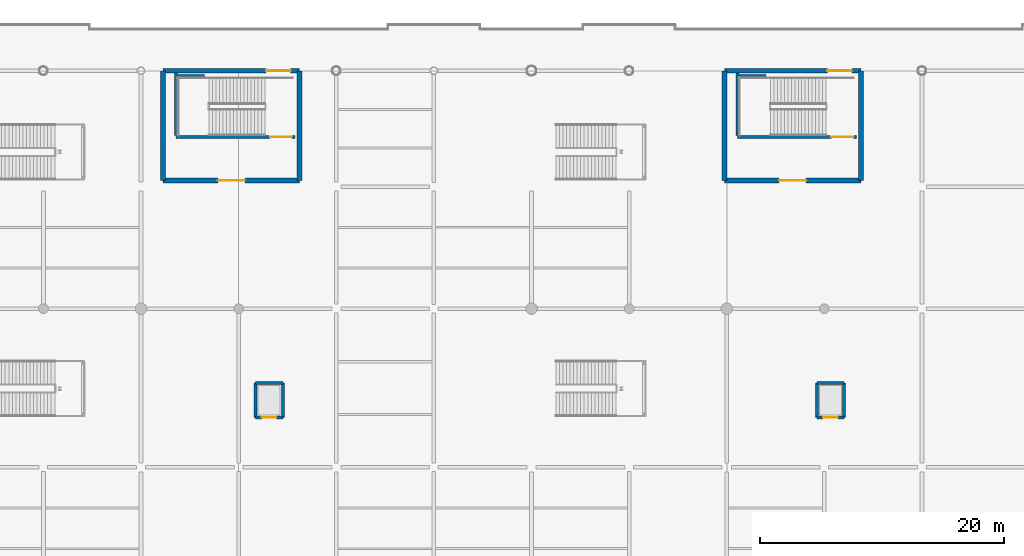
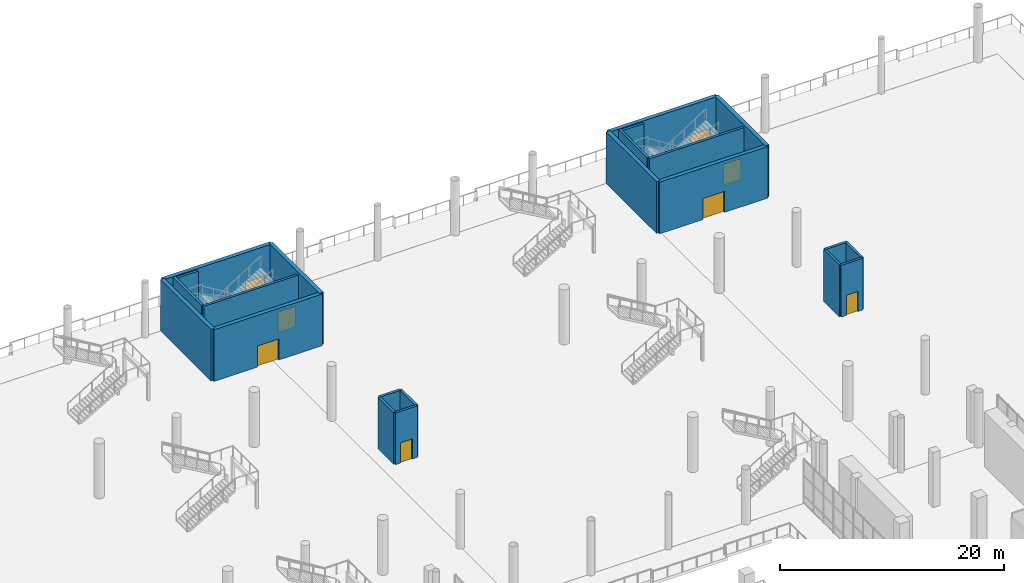
# One storey, part 131 of 163: 22 walls, 8 doors, 8 openings.
"""IFC4 building model written with IfcOpenShell, lengths in metres."""

from ifc_helpers import new_model, si_unit, direction, frame, frame_2d, origin, place, context, subcontext, project, spatial, rectangle, extrude, material, layer, layer_set, type_object, element, fill, save


model = new_model("IFC4")

# Units and contexts
model_context = context("Model", 3, precision=1e-05, world=origin(), true_north=direction((0.0, 1.0)))
body_context = subcontext(model_context, "Body", "Model", "MODEL_VIEW")
ifc_project = project(units=[si_unit("LENGTHUNIT", "METRE"), si_unit("AREAUNIT", "SQUARE_METRE"), si_unit("VOLUMEUNIT", "CUBIC_METRE"), si_unit("PLANEANGLEUNIT", "RADIAN"), si_unit("MASSUNIT", "GRAM", prefix="KILO")], contexts=[model_context])

# Site, building, storey
site_placement = place(None, origin())
site = spatial("IfcSite", under=ifc_project, at=site_placement, CompositionType="ELEMENT")
building_placement = place(site_placement, origin())
building = spatial("IfcBuilding", under=site, at=building_placement, Name="Khorjan Park Terminus", CompositionType="ELEMENT")
storey_placement = place(building_placement, origin())
storey = spatial("IfcBuildingStorey", under=building, at=storey_placement, Name="L00", CompositionType="ELEMENT", Elevation=0.0)

# Wall
ifc_material_1 = material(Name="Concrete C50/60", Category="concrete")
ifc_layer_1 = layer(ifc_material_1, 0.4)
ifc_layer_set_1 = layer_set([ifc_layer_1], Name="Concrete C50/60")
wall_type_1 = type_object("IfcWallType", Name="CW-40", PredefinedType="SHEAR", material=ifc_layer_set_1)
wall_1_placement = place(storey_placement, frame((73.8, 154.0, 0.0), z_axis=(0.0, 0.0, 1.0), x_axis=(0.0, -1.0, 0.0)))
element("IfcWall", 1, at=wall_1_placement, inside=storey, type_object=wall_type_1, Name="West Transfer Bridge Exit Core concrete shear wall CW-40 (L00-E2)", PredefinedType="SHEAR", context=body_context, shape_type="SweptSolid", body=[
    extrude(rectangle(XDim=9.0, YDim=0.4, at=frame_2d((4.5, 0.0))), origin(), (0.0, 0.0, 1.0), 5.64),
])

# Wall, opening, door
wall_2_placement = place(storey_placement, frame((73.8, 145.0, 0.0), z_axis=(0.0, 0.0, 1.0), x_axis=(1.0, 0.0, 0.0)))
wall_2 = element("IfcWall", 2, at=wall_2_placement, inside=storey, type_object=wall_type_1, Name="West Transfer Bridge Exit Core concrete shear wall CW-40 (L00-E3)", PredefinedType="SHEAR", context=body_context, shape_type="SweptSolid", body=[
    extrude(rectangle(XDim=11.2, YDim=0.4, at=frame_2d((5.6, 0.0))), origin(), (0.0, 0.0, 1.0), 5.64),
])
opening_1_placement = place(wall_2_placement, frame((4.5, 0.0, 0.0)))
opening_1 = element("IfcOpeningElement", 3, at=opening_1_placement, cuts=wall_2, Name="Opening FD-22", PredefinedType="OPENING", context=body_context, shape_type="SweptSolid", body=[
    extrude(rectangle(XDim=2.2, YDim=2.3, at=frame_2d((1.1, 1.15))), frame((0.0, 0.21, 0.0), z_axis=(0.0, -1.0, 0.0), x_axis=(1.0, 0.0, 0.0)), (0.0, 0.0, 1.0), 0.42),
])
ifc_material_2 = material(Name="Fire-Rated Steel Double Door", Category="steel")
door_type_1 = type_object("IfcDoorType", Name="FD-22", OperationType="NOTDEFINED", PredefinedType="DOOR", material=ifc_material_2)
door_1_placement = place(opening_1_placement, origin())
door_1 = element("IfcDoor", 4, at=door_1_placement, inside=storey, type_object=door_type_1, Name="West Transfer Bridge Exit Core fire-rated exit door FD-22 (L00)", OperationType="DOUBLE_DOOR_SINGLE_SWING", OverallHeight=2.3, OverallWidth=2.2, PredefinedType="DOOR", context=body_context, shape_type="SweptSolid", body=[
    extrude(rectangle(XDim=2.2, YDim=2.3, at=frame_2d((1.1, 1.15))), frame((0.0, 0.025, 0.0), z_axis=(0.0, -1.0, 0.0), x_axis=(1.0, 0.0, 0.0)), (0.0, 0.0, 1.0), 0.05),
])
fill(opening_1, door_1)

# Walls
for number, where, z_axis, x_axis, name in (
    (5, (85.0, 145.0, 0.0), (0.0, 0.0, 1.0), (0.0, 1.0, 0.0), "West Transfer Bridge Exit Core concrete shear wall CW-40 (L00-E4)"),
    (6, (119.8, 154.0, 0.0), (0.0, 0.0, 1.0), (0.0, -1.0, 0.0), "East Transfer Bridge Exit Core concrete shear wall CW-40 (L00-E2)"),
):
    element("IfcWall", number, at=place(storey_placement, frame(where, z_axis=z_axis, x_axis=x_axis)), inside=storey, type_object=wall_type_1, Name=name, PredefinedType="SHEAR", context=body_context, shape_type="SweptSolid", body=[
        extrude(rectangle(XDim=9.0, YDim=0.4, at=frame_2d((4.5, 0.0))), origin(), (0.0, 0.0, 1.0), 5.64),
    ])

# Wall, opening, door
wall_3_placement = place(storey_placement, frame((119.8, 145.0, 0.0), z_axis=(0.0, 0.0, 1.0), x_axis=(1.0, 0.0, 0.0)))
wall_3 = element("IfcWall", 7, at=wall_3_placement, inside=storey, type_object=wall_type_1, Name="East Transfer Bridge Exit Core concrete shear wall CW-40 (L00-E3)", PredefinedType="SHEAR", context=body_context, shape_type="SweptSolid", body=[
    extrude(rectangle(XDim=11.2, YDim=0.4, at=frame_2d((5.6, 0.0))), origin(), (0.0, 0.0, 1.0), 5.64),
])
opening_2_placement = place(wall_3_placement, frame((4.5, 0.0, 0.0)))
opening_2 = element("IfcOpeningElement", 8, at=opening_2_placement, cuts=wall_3, Name="Opening FD-22", PredefinedType="OPENING", context=body_context, shape_type="SweptSolid", body=[
    extrude(rectangle(XDim=2.2, YDim=2.3, at=frame_2d((1.1, 1.15))), frame((0.0, 0.21, 0.0), z_axis=(0.0, -1.0, 0.0), x_axis=(1.0, 0.0, 0.0)), (0.0, 0.0, 1.0), 0.42),
])
door_2_placement = place(opening_2_placement, origin())
door_2 = element("IfcDoor", 9, at=door_2_placement, inside=storey, type_object=door_type_1, Name="East Transfer Bridge Exit Core fire-rated exit door FD-22 (L00)", OperationType="DOUBLE_DOOR_SINGLE_SWING", OverallHeight=2.3, OverallWidth=2.2, PredefinedType="DOOR", context=body_context, shape_type="SweptSolid", body=[
    extrude(rectangle(XDim=2.2, YDim=2.3, at=frame_2d((1.1, 1.15))), frame((0.0, 0.025, 0.0), z_axis=(0.0, -1.0, 0.0), x_axis=(1.0, 0.0, 0.0)), (0.0, 0.0, 1.0), 0.05),
])
fill(opening_2, door_2)

# Wall
wall_4_placement = place(storey_placement, frame((131.0, 145.0, 0.0), z_axis=(0.0, 0.0, 1.0), x_axis=(0.0, 1.0, 0.0)))
element("IfcWall", 10, at=wall_4_placement, inside=storey, type_object=wall_type_1, Name="East Transfer Bridge Exit Core concrete shear wall CW-40 (L00-E4)", PredefinedType="SHEAR", context=body_context, shape_type="SweptSolid", body=[
    extrude(rectangle(XDim=9.0, YDim=0.4, at=frame_2d((4.5, 0.0))), origin(), (0.0, 0.0, 1.0), 5.64),
])

# Wall, opening, door
ifc_layer_2 = layer(ifc_material_1, 0.4)
ifc_layer_set_2 = layer_set([ifc_layer_2], Name="Concrete C50/60")
wall_type_2 = type_object("IfcWallType", Name="CWE-40", PredefinedType="SHEAR", material=ifc_layer_set_2)
wall_5_placement = place(storey_placement, frame((85.0, 154.0, 0.0), z_axis=(0.0, 0.0, 1.0), x_axis=(-1.0, 0.0, 0.0)))
wall_5 = element("IfcWall", 11, at=wall_5_placement, inside=storey, type_object=wall_type_2, Name="West Transfer Bridge Exit Core concrete shear wall CWE-40 (L00-E1)", PredefinedType="SHEAR", context=body_context, shape_type="SweptSolid", body=[
    extrude(rectangle(XDim=11.2, YDim=0.4, at=frame_2d((5.6, 0.0))), origin(), (0.0, 0.0, 1.0), 5.64),
])
opening_3_placement = place(wall_5_placement, frame((0.75, 0.0, 0.0)))
opening_3 = element("IfcOpeningElement", 12, at=opening_3_placement, cuts=wall_5, Name="Opening ED-20", PredefinedType="OPENING", context=body_context, shape_type="SweptSolid", body=[
    extrude(rectangle(XDim=2.0, YDim=2.4, at=frame_2d((1.0, 1.2))), frame((0.0, 0.21, 0.0), z_axis=(0.0, -1.0, 0.0), x_axis=(1.0, 0.0, 0.0)), (0.0, 0.0, 1.0), 0.42),
])
ifc_material_3 = material(Name="Anodized Bronze Aluminium & Safety Glass", Category="aluminium")
door_type_2 = type_object("IfcDoorType", Name="ED-20", OperationType="NOTDEFINED", PredefinedType="DOOR", material=ifc_material_3)
door_3_placement = place(opening_3_placement, frame((2.0, 0.0, 0.0), z_axis=(0.0, 0.0, 1.0), x_axis=(-1.0, 0.0, 0.0)))
door_3 = element("IfcDoor", 13, at=door_3_placement, inside=storey, type_object=door_type_2, Name="West Transfer Bridge Exit Core ground exit discharge door ED-20", OperationType="DOUBLE_DOOR_SINGLE_SWING", OverallHeight=2.4, OverallWidth=2.0, PredefinedType="DOOR", context=body_context, shape_type="SweptSolid", body=[
    extrude(rectangle(XDim=2.0, YDim=2.4, at=frame_2d((1.0, 1.2))), frame((0.0, 0.025, 0.0), z_axis=(0.0, -1.0, 0.0), x_axis=(1.0, 0.0, 0.0)), (0.0, 0.0, 1.0), 0.05),
])
fill(opening_3, door_3)

wall_6_placement = place(storey_placement, frame((131.0, 154.0, 0.0), z_axis=(0.0, 0.0, 1.0), x_axis=(-1.0, 0.0, 0.0)))
wall_6 = element("IfcWall", 14, at=wall_6_placement, inside=storey, type_object=wall_type_2, Name="East Transfer Bridge Exit Core concrete shear wall CWE-40 (L00-E1)", PredefinedType="SHEAR", context=body_context, shape_type="SweptSolid", body=[
    extrude(rectangle(XDim=11.2, YDim=0.4, at=frame_2d((5.6, 0.0))), origin(), (0.0, 0.0, 1.0), 5.64),
])
opening_4_placement = place(wall_6_placement, frame((0.75, 0.0, 0.0)))
opening_4 = element("IfcOpeningElement", 15, at=opening_4_placement, cuts=wall_6, Name="Opening ED-20", PredefinedType="OPENING", context=body_context, shape_type="SweptSolid", body=[
    extrude(rectangle(XDim=2.0, YDim=2.4, at=frame_2d((1.0, 1.2))), frame((0.0, 0.21, 0.0), z_axis=(0.0, -1.0, 0.0), x_axis=(1.0, 0.0, 0.0)), (0.0, 0.0, 1.0), 0.42),
])
door_4_placement = place(opening_4_placement, frame((2.0, 0.0, 0.0), z_axis=(0.0, 0.0, 1.0), x_axis=(-1.0, 0.0, 0.0)))
door_4 = element("IfcDoor", 16, at=door_4_placement, inside=storey, type_object=door_type_2, Name="East Transfer Bridge Exit Core ground exit discharge door ED-20", OperationType="DOUBLE_DOOR_SINGLE_SWING", OverallHeight=2.4, OverallWidth=2.0, PredefinedType="DOOR", context=body_context, shape_type="SweptSolid", body=[
    extrude(rectangle(XDim=2.0, YDim=2.4, at=frame_2d((1.0, 1.2))), frame((0.0, 0.025, 0.0), z_axis=(0.0, -1.0, 0.0), x_axis=(1.0, 0.0, 0.0)), (0.0, 0.0, 1.0), 0.05),
])
fill(opening_4, door_4)

ifc_material_4 = material(Name="Concrete C40/50", Category="concrete")
ifc_layer_3 = layer(ifc_material_4, 0.25)
ifc_layer_set_3 = layer_set([ifc_layer_3], Name="Concrete C40/50")
wall_type_3 = type_object("IfcWallType", Name="SW-25", PredefinedType="SOLIDWALL", material=ifc_layer_set_3)
wall_7_placement = place(storey_placement, frame((81.38, 125.58, 0.0), z_axis=(0.0, 0.0, 1.0), x_axis=(1.0, 0.0, 0.0)))
wall_7 = element("IfcWall", 17, at=wall_7_placement, inside=storey, type_object=wall_type_3, Name="Lift L09 concrete shaft wall SW-25 (L00-1)", PredefinedType="SOLIDWALL", context=body_context, shape_type="SweptSolid", body=[
    extrude(rectangle(XDim=2.24, YDim=0.25, at=frame_2d((1.12, 0.0))), origin(), (0.0, 0.0, 1.0), 5.64),
])
opening_5_placement = place(wall_7_placement, frame((0.52, 0.0, 0.0)))
opening_5 = element("IfcOpeningElement", 18, at=opening_5_placement, cuts=wall_7, Name="Opening LD-12", PredefinedType="OPENING", context=body_context, shape_type="SweptSolid", body=[
    extrude(rectangle(XDim=1.2, YDim=2.2, at=frame_2d((0.6, 1.1))), frame((0.0, 0.135, 0.0), z_axis=(0.0, -1.0, 0.0), x_axis=(1.0, 0.0, 0.0)), (0.0, 0.0, 1.0), 0.27),
])
ifc_material_5 = material(Name="Stainless-Steel Lift Landing Sliding Door", Category="steel")
door_type_3 = type_object("IfcDoorType", Name="LD-12", OperationType="NOTDEFINED", PredefinedType="DOOR", material=ifc_material_5)
door_5_placement = place(opening_5_placement, origin())
door_5 = element("IfcDoor", 19, at=door_5_placement, inside=storey, type_object=door_type_3, Name="Lift L09 sliding landing door LD-12 (L00)", OperationType="SLIDING_TO_LEFT", OverallHeight=2.2, OverallWidth=1.2, PredefinedType="DOOR", context=body_context, shape_type="SweptSolid", body=[
    extrude(rectangle(XDim=1.2, YDim=2.2, at=frame_2d((0.6, 1.1))), frame((0.0, 0.025, 0.0), z_axis=(0.0, -1.0, 0.0), x_axis=(1.0, 0.0, 0.0)), (0.0, 0.0, 1.0), 0.05),
])
fill(opening_5, door_5)

# Walls
wall_8_placement = place(storey_placement, frame((83.62, 125.58, 0.0), z_axis=(0.0, 0.0, 1.0), x_axis=(0.0, 1.0, 0.0)))
element("IfcWall", 20, at=wall_8_placement, inside=storey, type_object=wall_type_3, Name="Lift L09 concrete shaft wall SW-25 (L00-2)", PredefinedType="SOLIDWALL", context=body_context, shape_type="SweptSolid", body=[
    extrude(rectangle(XDim=2.84, YDim=0.25, at=frame_2d((1.42, 0.0))), origin(), (0.0, 0.0, 1.0), 5.64),
])
wall_9_placement = place(storey_placement, frame((83.62, 128.42, 0.0), z_axis=(0.0, 0.0, 1.0), x_axis=(-1.0, 0.0, 0.0)))
element("IfcWall", 21, at=wall_9_placement, inside=storey, type_object=wall_type_3, Name="Lift L09 concrete shaft wall SW-25 (L00-3)", PredefinedType="SOLIDWALL", context=body_context, shape_type="SweptSolid", body=[
    extrude(rectangle(XDim=2.24, YDim=0.25, at=frame_2d((1.12, 0.0))), origin(), (0.0, 0.0, 1.0), 5.64),
])
wall_10_placement = place(storey_placement, frame((81.38, 128.42, 0.0), z_axis=(0.0, 0.0, 1.0), x_axis=(0.0, -1.0, 0.0)))
element("IfcWall", 22, at=wall_10_placement, inside=storey, type_object=wall_type_3, Name="Lift L09 concrete shaft wall SW-25 (L00-4)", PredefinedType="SOLIDWALL", context=body_context, shape_type="SweptSolid", body=[
    extrude(rectangle(XDim=2.84, YDim=0.25, at=frame_2d((1.42, 0.0))), origin(), (0.0, 0.0, 1.0), 5.64),
])

# Wall, opening, door
wall_11_placement = place(storey_placement, frame((127.38, 125.58, 0.0), z_axis=(0.0, 0.0, 1.0), x_axis=(1.0, 0.0, 0.0)))
wall_11 = element("IfcWall", 23, at=wall_11_placement, inside=storey, type_object=wall_type_3, Name="Lift L10 concrete shaft wall SW-25 (L00-1)", PredefinedType="SOLIDWALL", context=body_context, shape_type="SweptSolid", body=[
    extrude(rectangle(XDim=2.24, YDim=0.25, at=frame_2d((1.12, 0.0))), origin(), (0.0, 0.0, 1.0), 5.64),
])
opening_6_placement = place(wall_11_placement, frame((0.52, 0.0, 0.0)))
opening_6 = element("IfcOpeningElement", 24, at=opening_6_placement, cuts=wall_11, Name="Opening LD-12", PredefinedType="OPENING", context=body_context, shape_type="SweptSolid", body=[
    extrude(rectangle(XDim=1.2, YDim=2.2, at=frame_2d((0.6, 1.1))), frame((0.0, 0.135, 0.0), z_axis=(0.0, -1.0, 0.0), x_axis=(1.0, 0.0, 0.0)), (0.0, 0.0, 1.0), 0.27),
])
door_6_placement = place(opening_6_placement, origin())
door_6 = element("IfcDoor", 25, at=door_6_placement, inside=storey, type_object=door_type_3, Name="Lift L10 sliding landing door LD-12 (L00)", OperationType="SLIDING_TO_RIGHT", OverallHeight=2.2, OverallWidth=1.2, PredefinedType="DOOR", context=body_context, shape_type="SweptSolid", body=[
    extrude(rectangle(XDim=1.2, YDim=2.2, at=frame_2d((0.6, 1.1))), frame((0.0, 0.025, 0.0), z_axis=(0.0, -1.0, 0.0), x_axis=(1.0, 0.0, 0.0)), (0.0, 0.0, 1.0), 0.05),
])
fill(opening_6, door_6)

# Walls
wall_12_placement = place(storey_placement, frame((129.62, 125.58, 0.0), z_axis=(0.0, 0.0, 1.0), x_axis=(0.0, 1.0, 0.0)))
element("IfcWall", 26, at=wall_12_placement, inside=storey, type_object=wall_type_3, Name="Lift L10 concrete shaft wall SW-25 (L00-2)", PredefinedType="SOLIDWALL", context=body_context, shape_type="SweptSolid", body=[
    extrude(rectangle(XDim=2.84, YDim=0.25, at=frame_2d((1.42, 0.0))), origin(), (0.0, 0.0, 1.0), 5.64),
])
wall_13_placement = place(storey_placement, frame((129.62, 128.42, 0.0), z_axis=(0.0, 0.0, 1.0), x_axis=(-1.0, 0.0, 0.0)))
element("IfcWall", 27, at=wall_13_placement, inside=storey, type_object=wall_type_3, Name="Lift L10 concrete shaft wall SW-25 (L00-3)", PredefinedType="SOLIDWALL", context=body_context, shape_type="SweptSolid", body=[
    extrude(rectangle(XDim=2.24, YDim=0.25, at=frame_2d((1.12, 0.0))), origin(), (0.0, 0.0, 1.0), 5.64),
])
wall_14_placement = place(storey_placement, frame((127.38, 128.42, 0.0), z_axis=(0.0, 0.0, 1.0), x_axis=(0.0, -1.0, 0.0)))
element("IfcWall", 28, at=wall_14_placement, inside=storey, type_object=wall_type_3, Name="Lift L10 concrete shaft wall SW-25 (L00-4)", PredefinedType="SOLIDWALL", context=body_context, shape_type="SweptSolid", body=[
    extrude(rectangle(XDim=2.84, YDim=0.25, at=frame_2d((1.42, 0.0))), origin(), (0.0, 0.0, 1.0), 5.64),
])

# Wall, opening, door
wall_15_placement = place(storey_placement, frame((84.62, 148.565, 0.0), z_axis=(0.0, 0.0, 1.0), x_axis=(-1.0, 0.0, 0.0)))
wall_15 = element("IfcWall", 29, at=wall_15_placement, inside=storey, type_object=wall_type_3, Name="West Transfer Bridge Exit Core structural stairwell wall SW-25 (L00)", PredefinedType="SOLIDWALL", context=body_context, shape_type="SweptSolid", body=[
    extrude(rectangle(XDim=9.745, YDim=0.25, at=frame_2d((4.8725, 0.0))), origin(), (0.0, 0.0, 1.0), 5.62),
])
opening_7_placement = place(wall_15_placement, frame((0.25, 0.0, 0.0)))
opening_7 = element("IfcOpeningElement", 30, at=opening_7_placement, cuts=wall_15, Name="Opening FD-18", PredefinedType="OPENING", context=body_context, shape_type="SweptSolid", body=[
    extrude(rectangle(XDim=1.8, YDim=2.25, at=frame_2d((0.9, 1.125))), frame((0.0, 0.135, 0.0), z_axis=(0.0, -1.0, 0.0), x_axis=(1.0, 0.0, 0.0)), (0.0, 0.0, 1.0), 0.27),
])
door_type_4 = type_object("IfcDoorType", Name="FD-18", OperationType="NOTDEFINED", PredefinedType="DOOR", material=ifc_material_2)
door_7_placement = place(opening_7_placement, origin())
door_7 = element("IfcDoor", 31, at=door_7_placement, inside=storey, type_object=door_type_4, Name="West Transfer Bridge Exit Core stairwell fire door FD-18 (L00)", OperationType="DOUBLE_DOOR_SINGLE_SWING", OverallHeight=2.25, OverallWidth=1.8, PredefinedType="DOOR", context=body_context, shape_type="SweptSolid", body=[
    extrude(rectangle(XDim=1.8, YDim=2.25, at=frame_2d((0.9, 1.125))), frame((0.0, 0.025, 0.0), z_axis=(0.0, -1.0, 0.0), x_axis=(1.0, 0.0, 0.0)), (0.0, 0.0, 1.0), 0.05),
])
fill(opening_7, door_7)

# Walls
wall_16_placement = place(storey_placement, frame((74.875, 153.8, 0.0), z_axis=(0.0, 0.0, 1.0), x_axis=(0.0, -1.0, 0.0)))
element("IfcWall", 32, at=wall_16_placement, inside=storey, type_object=wall_type_3, Name="West Transfer Bridge Exit Core stairwell end bearing wall SW-25 (L00)", PredefinedType="SOLIDWALL", context=body_context, shape_type="SweptSolid", body=[
    extrude(rectangle(XDim=5.11, YDim=0.25, at=frame_2d((2.555, 0.0))), origin(), (0.0, 0.0, 1.0), 5.62),
])
wall_17_placement = place(storey_placement, frame((77.2, 153.575, 0.0), z_axis=(0.0, 0.0, 1.0), x_axis=(-1.0, 0.0, 0.0)))
element("IfcWall", 33, at=wall_17_placement, inside=storey, type_object=wall_type_3, Name="West Transfer Bridge Exit Core half-landing bearing wall SW-25 (L00)", PredefinedType="SOLIDWALL", context=body_context, shape_type="SweptSolid", body=[
    extrude(rectangle(XDim=2.2, YDim=0.25, at=frame_2d((1.1, 0.0))), origin(), (0.0, 0.0, 1.0), 5.62),
])

# Wall, opening, door
wall_18_placement = place(storey_placement, frame((130.62, 148.565, 0.0), z_axis=(0.0, 0.0, 1.0), x_axis=(-1.0, 0.0, 0.0)))
wall_18 = element("IfcWall", 34, at=wall_18_placement, inside=storey, type_object=wall_type_3, Name="East Transfer Bridge Exit Core structural stairwell wall SW-25 (L00)", PredefinedType="SOLIDWALL", context=body_context, shape_type="SweptSolid", body=[
    extrude(rectangle(XDim=9.745, YDim=0.25, at=frame_2d((4.8725, 0.0))), origin(), (0.0, 0.0, 1.0), 5.62),
])
opening_8_placement = place(wall_18_placement, frame((0.25, 0.0, 0.0)))
opening_8 = element("IfcOpeningElement", 35, at=opening_8_placement, cuts=wall_18, Name="Opening FD-18", PredefinedType="OPENING", context=body_context, shape_type="SweptSolid", body=[
    extrude(rectangle(XDim=1.8, YDim=2.25, at=frame_2d((0.9, 1.125))), frame((0.0, 0.135, 0.0), z_axis=(0.0, -1.0, 0.0), x_axis=(1.0, 0.0, 0.0)), (0.0, 0.0, 1.0), 0.27),
])
door_8_placement = place(opening_8_placement, origin())
door_8 = element("IfcDoor", 36, at=door_8_placement, inside=storey, type_object=door_type_4, Name="East Transfer Bridge Exit Core stairwell fire door FD-18 (L00)", OperationType="DOUBLE_DOOR_SINGLE_SWING", OverallHeight=2.25, OverallWidth=1.8, PredefinedType="DOOR", context=body_context, shape_type="SweptSolid", body=[
    extrude(rectangle(XDim=1.8, YDim=2.25, at=frame_2d((0.9, 1.125))), frame((0.0, 0.025, 0.0), z_axis=(0.0, -1.0, 0.0), x_axis=(1.0, 0.0, 0.0)), (0.0, 0.0, 1.0), 0.05),
])
fill(opening_8, door_8)

# Walls
wall_19_placement = place(storey_placement, frame((120.875, 153.8, 0.0), z_axis=(0.0, 0.0, 1.0), x_axis=(0.0, -1.0, 0.0)))
element("IfcWall", 37, at=wall_19_placement, inside=storey, type_object=wall_type_3, Name="East Transfer Bridge Exit Core stairwell end bearing wall SW-25 (L00)", PredefinedType="SOLIDWALL", context=body_context, shape_type="SweptSolid", body=[
    extrude(rectangle(XDim=5.11, YDim=0.25, at=frame_2d((2.555, 0.0))), origin(), (0.0, 0.0, 1.0), 5.62),
])
wall_20_placement = place(storey_placement, frame((123.2, 153.575, 0.0), z_axis=(0.0, 0.0, 1.0), x_axis=(-1.0, 0.0, 0.0)))
element("IfcWall", 38, at=wall_20_placement, inside=storey, type_object=wall_type_3, Name="East Transfer Bridge Exit Core half-landing bearing wall SW-25 (L00)", PredefinedType="SOLIDWALL", context=body_context, shape_type="SweptSolid", body=[
    extrude(rectangle(XDim=2.2, YDim=0.25, at=frame_2d((1.1, 0.0))), origin(), (0.0, 0.0, 1.0), 5.62),
])

save(model, "model.ifc")
